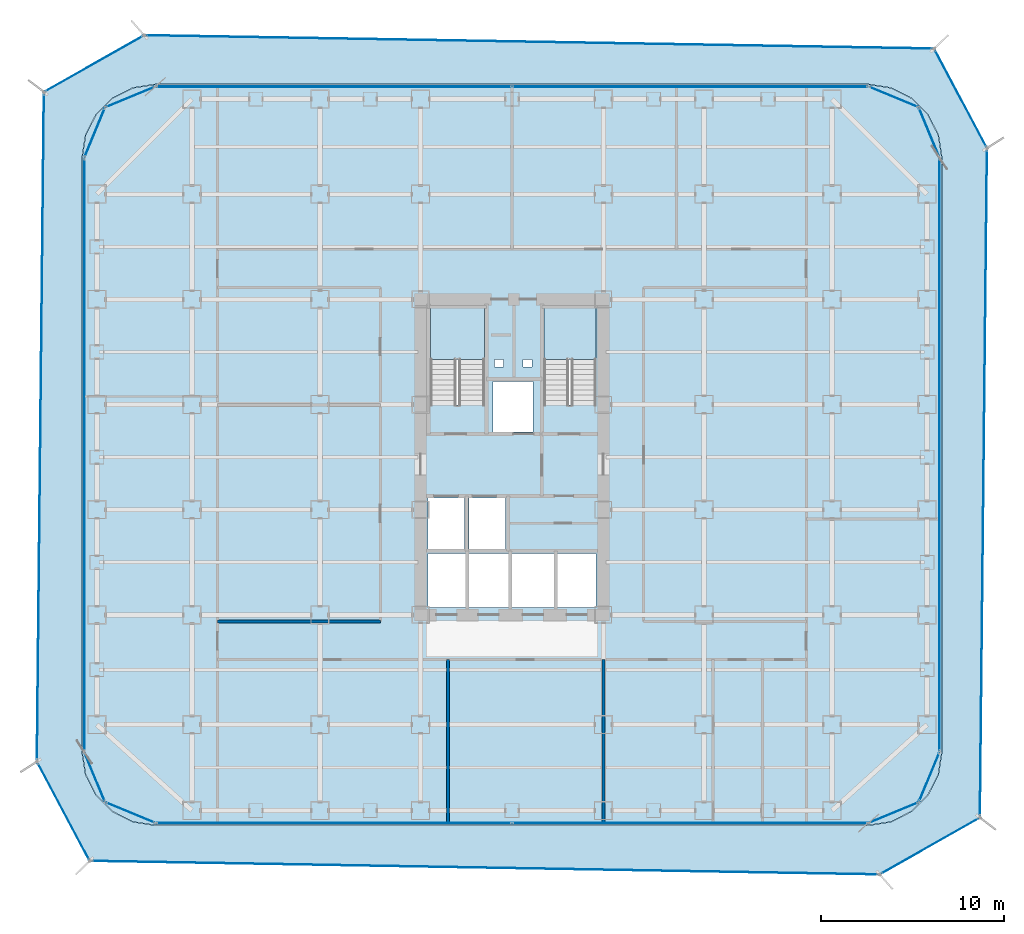
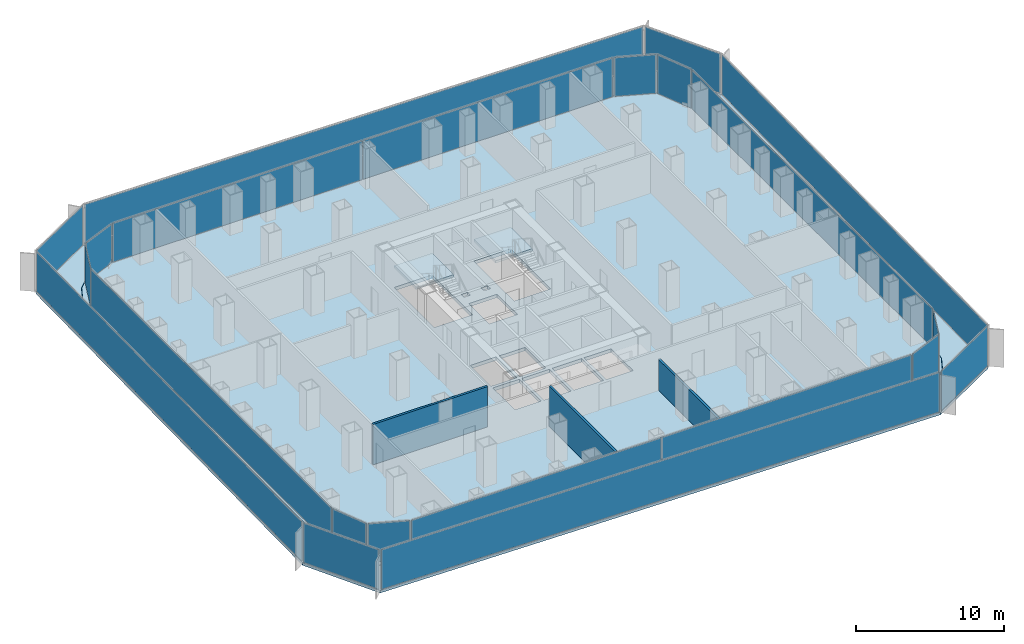
# One storey, part 16 of 21: 22 plates, 4 slabs, 3 walls, 22 elements without a shape of their own.
"""IFC4 building model written with IfcOpenShell, lengths in metres."""

from ifc_helpers import new_model, si_unit, direction, frame, frame_2d, origin, origin_2d, place, context, subcontext, project, spatial, polyline, rectangle, outline, extrude, source, transform, mapped, material, layer, layer_set, type_object, element, aggregate, save


model = new_model("IFC4")

# Units and contexts
model_context = context("Model", 3, precision=1e-05, world=origin(), true_north=direction((0.0, 1.0)))
body_context = subcontext(model_context, "Body", "Model", "MODEL_VIEW")
ifc_project = project(units=[si_unit("LENGTHUNIT", "METRE"), si_unit("AREAUNIT", "SQUARE_METRE"), si_unit("VOLUMEUNIT", "CUBIC_METRE"), si_unit("PLANEANGLEUNIT", "RADIAN"), si_unit("MASSUNIT", "GRAM", prefix="KILO")], contexts=[model_context])

# Site, building, storey
site_placement = place(None, origin())
site = spatial("IfcSite", under=ifc_project, at=site_placement, CompositionType="ELEMENT")
building_placement = place(site_placement, origin())
building = spatial("IfcBuilding", under=site, at=building_placement, Name="Kolveth Station Tower", CompositionType="ELEMENT")
storey_placement = place(building_placement, frame((0.0, 0.0, 40.5)))
storey = spatial("IfcBuildingStorey", under=building, at=storey_placement, Name="L10", CompositionType="ELEMENT", Elevation=40.5)

# Slab
ifc_material_1 = material(Name="Concrete C45/55", Category="concrete")
ifc_layer_1 = layer(ifc_material_1, 0.280029296875)
ifc_layer_set_1 = layer_set([ifc_layer_1], Name="Concrete C45/55")
slab_type_1 = type_object("IfcSlabType", Name="Slab_SF-280", PredefinedType="FLOOR", material=ifc_layer_set_1)
slab_1_placement = place(storey_placement, frame((0.0, 0.0, -0.280029296875)))
element("IfcSlab", 1, at=slab_1_placement, inside=storey, type_object=slab_type_1, Name="L10 Tower Structural Floor Slab", PredefinedType="FLOOR", context=body_context, shape_type="SweptSolid", body=[
    extrude(outline(polyline([(43.0, 0.0), (44.236083984375, 0.19580078125), (45.35107421875, 0.763916015625), (46.236083984375, 1.64892578125), (46.80419921875, 2.763916015625), (47.0, 4.0), (47.0, 36.5), (46.80419921875, 37.736083984375), (46.236083984375, 38.85107421875), (45.35107421875, 39.736083984375), (44.236083984375, 40.30419921875), (43.0, 40.5), (4.0, 40.5), (2.763916015625, 40.30419921875), (1.64892578125, 39.736083984375), (0.763916015625, 38.85107421875), (0.19580078125, 37.736083984375), (0.0, 36.5), (0.0, 4.0), (0.19580078125, 2.763916015625), (0.763916015625, 1.64892578125), (1.64892578125, 0.763916015625), (2.763916015625, 0.19580078125), (4.0, 0.0), (43.0, 0.0)]), holes=[polyline([(19.0400390625, 22.985107421875), (22.0, 22.985107421875), (22.0, 28.39990234375), (19.0400390625, 28.39990234375), (19.0400390625, 22.985107421875)]), polyline([(25.239990234375, 22.985107421875), (28.10009765625, 22.985107421875), (28.10009765625, 28.39990234375), (25.239990234375, 28.39990234375), (25.239990234375, 22.985107421875)]), polyline([(18.89990234375, 15.10009765625), (20.89990234375, 15.10009765625), (20.89990234375, 17.89990234375), (18.89990234375, 17.89990234375), (18.89990234375, 15.10009765625)]), polyline([(21.14990234375, 15.10009765625), (23.14990234375, 15.10009765625), (23.14990234375, 17.89990234375), (21.14990234375, 17.89990234375), (21.14990234375, 15.10009765625)]), polyline([(22.449951171875, 21.5), (24.64990234375, 21.5), (24.64990234375, 24.25), (22.449951171875, 24.25), (22.449951171875, 21.5)]), polyline([(18.89990234375, 11.89990234375), (20.949951171875, 11.89990234375), (20.949951171875, 14.85009765625), (18.89990234375, 14.85009765625), (18.89990234375, 11.89990234375)]), polyline([(21.14990234375, 11.89990234375), (23.300048828125, 11.89990234375), (23.300048828125, 14.85009765625), (21.14990234375, 14.85009765625), (21.14990234375, 11.89990234375)]), polyline([(23.5, 11.89990234375), (25.800048828125, 11.89990234375), (25.800048828125, 14.85009765625), (23.5, 14.85009765625), (23.5, 11.89990234375)]), polyline([(26.0, 11.89990234375), (28.10009765625, 11.89990234375), (28.10009765625, 14.85009765625), (26.0, 14.85009765625), (26.0, 11.89990234375)]), polyline([(22.550048828125, 25.050048828125), (23.050048828125, 25.050048828125), (23.050048828125, 25.449951171875), (22.550048828125, 25.449951171875), (22.550048828125, 25.050048828125)]), polyline([(24.10009765625, 25.050048828125), (24.60009765625, 25.050048828125), (24.60009765625, 25.449951171875), (24.10009765625, 25.449951171875), (24.10009765625, 25.050048828125)])]), origin(), (0.0, 0.0, 1.0), 0.280029296875),
])

# Stair, slab
ifc_material_2 = material(Name="Concrete C40/50", Category="concrete")
stair_type_1 = type_object("IfcStairType", Name="Stair_ST2", PredefinedType="HALF_TURN_STAIR", material=ifc_material_2)
stair_1_placement = place(storey_placement, origin())
stair_1 = element("IfcStair", 2, at=stair_1_placement, inside=storey, type_object=stair_type_1, Name="L10 Tower Exit Stair ST2", PredefinedType="HALF_TURN_STAIR")
ifc_layer_2 = layer(ifc_material_2, 0.18994140625)
ifc_layer_set_2 = layer_set([ifc_layer_2], Name="Concrete C40/50")
slab_type_2 = type_object("IfcSlabType", Name="Slab_SL-190", PredefinedType="LANDING", material=ifc_layer_set_2)
slab_2_placement = place(storey_placement, frame((0.0, 0.0, 1.60009765625)))
slab_2 = element("IfcSlab", 3, at=slab_2_placement, type_object=slab_type_2, Name="ST2 landing 1", PredefinedType="LANDING", context=body_context, shape_type="SweptSolid", body=[
    extrude(outline(polyline([(28.10009765625, 25.469970703125), (28.10009765625, 28.39990234375), (25.239990234375, 28.39990234375), (25.239990234375, 25.469970703125), (28.10009765625, 25.469970703125)])), origin(), (0.0, 0.0, 1.0), 0.199951171875),
])
aggregate(stair_1, [slab_2])

stair_type_2 = type_object("IfcStairType", Name="Stair_ST1", PredefinedType="HALF_TURN_STAIR", material=ifc_material_2)
stair_2_placement = place(storey_placement, origin())
stair_2 = element("IfcStair", 4, at=stair_2_placement, inside=storey, type_object=stair_type_2, Name="L10 Tower Exit Stair ST1", PredefinedType="HALF_TURN_STAIR")
ifc_layer_3 = layer(ifc_material_2, 0.205078125)
ifc_layer_set_3 = layer_set([ifc_layer_3], Name="Concrete C40/50")
slab_type_3 = type_object("IfcSlabType", Name="Slab_SL-205", PredefinedType="LANDING", material=ifc_layer_set_3)
slab_3_placement = place(storey_placement, frame((0.0, 0.0, 1.60009765625)))
slab_3 = element("IfcSlab", 5, at=slab_3_placement, type_object=slab_type_3, Name="ST1 landing 1", PredefinedType="LANDING", context=body_context, shape_type="SweptSolid", body=[
    extrude(outline(polyline([(22.0, 25.469970703125), (22.0, 28.39990234375), (19.0400390625, 28.39990234375), (19.0400390625, 25.469970703125), (22.0, 25.469970703125)])), origin(), (0.0, 0.0, 1.0), 0.199951171875),
])
aggregate(stair_2, [slab_3])

# Slab
ifc_layer_4 = layer(ifc_material_2, 0.2099609375)
ifc_layer_set_4 = layer_set([ifc_layer_4], Name="Concrete C40/50")
slab_type_4 = type_object("IfcSlabType", Name="Slab_ST-210", PredefinedType="FLOOR", material=ifc_layer_set_4)
slab_4_placement = place(storey_placement, frame((0.0, 0.0, -0.2099609375)))
element("IfcSlab", 6, at=slab_4_placement, inside=storey, type_object=slab_type_4, Name="L10 Double-Skin Cavity Structural Ledger Ring", PredefinedType="FLOOR", context=body_context, shape_type="SweptSolid", body=[
    extrude(outline(polyline([(0.418701171875, -1.953369140625), (-2.470947265625, 3.48046875), (-2.0888671875, 40.085693359375), (3.39404296875, 43.187744140625), (46.5849609375, 42.45947265625), (49.474853515625, 37.02001953125), (49.0888671875, 0.414306640625), (43.606689453125, -2.69482421875), (0.418701171875, -1.953369140625)]), holes=[polyline([(43.002197265625, -0.014892578125), (44.23828125, 0.180908203125), (44.242919921875, 0.182373046875), (45.35791015625, 0.75048828125), (45.36181640625, 0.75341796875), (46.24658203125, 1.63818359375), (46.24951171875, 1.64208984375), (46.817626953125, 2.757080078125), (46.819091796875, 2.76171875), (47.014892578125, 3.997802734375), (47.014892578125, 4.0), (47.014892578125, 36.5), (47.014892578125, 36.502197265625), (46.819091796875, 37.73828125), (46.817626953125, 37.742919921875), (46.24951171875, 38.85791015625), (46.24658203125, 38.86181640625), (45.36181640625, 39.74658203125), (45.35791015625, 39.74951171875), (44.242919921875, 40.317626953125), (44.23828125, 40.319091796875), (43.002197265625, 40.514892578125), (43.0, 40.514892578125), (4.0, 40.514892578125), (3.997802734375, 40.514892578125), (2.76171875, 40.319091796875), (2.757080078125, 40.317626953125), (1.64208984375, 39.74951171875), (1.63818359375, 39.74658203125), (0.75341796875, 38.86181640625), (0.75048828125, 38.85791015625), (0.182373046875, 37.742919921875), (0.180908203125, 37.73828125), (-0.014892578125, 36.502197265625), (-0.014892578125, 36.5), (-0.014892578125, 4.0), (-0.014892578125, 3.997802734375), (0.180908203125, 2.76171875), (0.182373046875, 2.757080078125), (0.75048828125, 1.64208984375), (0.75341796875, 1.63818359375), (1.63818359375, 0.75341796875), (1.64208984375, 0.75048828125), (2.757080078125, 0.182373046875), (2.76171875, 0.180908203125), (3.997802734375, -0.014892578125), (4.0, -0.014892578125), (43.0, -0.014892578125), (43.002197265625, -0.014892578125)])]), origin(), (0.0, 0.0, 1.0), 0.2099609375),
])

# Curtain wall, plate
ifc_material_3 = material(Name="Aluminium 6063-T6 and low-E dark glass", Category="aluminium")
ifc_layer_5 = layer(ifc_material_3, 0.179931640625)
ifc_layer_set_5 = layer_set([ifc_layer_5], Name="Aluminium 6063-T6 and low-E dark glass")
curtain_wall_type_1 = type_object("IfcCurtainWallType", Name="CurtainWall_CW-Z1", PredefinedType="NOTDEFINED", material=ifc_layer_set_5)
curtain_wall_1_placement = place(storey_placement, origin())
curtain_wall_1 = element("IfcCurtainWall", 7, at=curtain_wall_1_placement, inside=storey, type_object=curtain_wall_type_1, Name="L10 Inner Thermal Curtain Wall 1", PredefinedType="NOTDEFINED")
ifc_material_4 = material(Name="Architectural low-E dark glass", Category="glass")
ifc_layer_6 = layer(ifc_material_4, 0.035888671875)
ifc_layer_set_6 = layer_set([ifc_layer_6], Name="Architectural low-E dark glass")
plate_type_1 = type_object("IfcPlateType", Name="Panel_GL1", PredefinedType="CURTAIN_PANEL", material=ifc_layer_set_6)
shared_shape_1 = source(origin(), body_context, "Body", "SweptSolid", [
    extrude(rectangle(XDim=2.83349609375, YDim=0.035888671875, at=origin_2d()), origin(), (0.0, 0.0, 1.0), 3.18408203125),
])
plate_1_placement = place(storey_placement, frame((44.371826171875, 0.688232421875, 0.06787109375), z_axis=(0.0, 0.0, 1.0), x_axis=(0.923883857728, 0.382672990201, 0.0)))
plate_1 = element("IfcPlate", 8, at=plate_1_placement, type_object=plate_type_1, Name="CW-Z1 panel 1.1", PredefinedType="CURTAIN_PANEL", context=body_context, shape_type="MappedRepresentation", body=[
    mapped(shared_shape_1, transform((0.0, 0.0, 0.0), x_axis=(1.0, 0.0, 0.0), y_axis=(0.0, 1.0, 0.0), z_axis=(0.0, 0.0, 1.0), scale=1.0)),
])
aggregate(curtain_wall_1, [plate_1])

curtain_wall_2_placement = place(storey_placement, origin())
curtain_wall_2 = element("IfcCurtainWall", 9, at=curtain_wall_2_placement, inside=storey, type_object=curtain_wall_type_1, Name="L10 Inner Thermal Curtain Wall 2", PredefinedType="NOTDEFINED")
plate_2_placement = place(storey_placement, frame((46.311767578125, 2.628173828125, 0.06787109375), z_axis=(0.0, 0.0, 1.0), x_axis=(0.382672990201, 0.923883857728, 0.0)))
plate_2 = element("IfcPlate", 10, at=plate_2_placement, type_object=plate_type_1, Name="CW-Z1 panel 1.1", PredefinedType="CURTAIN_PANEL", context=body_context, shape_type="MappedRepresentation", body=[
    mapped(shared_shape_1, transform((0.0, 0.0, 0.0), x_axis=(1.0, 0.0, 0.0), y_axis=(0.0, 1.0, 0.0), z_axis=(0.0, 0.0, 1.0), scale=1.0)),
])
aggregate(curtain_wall_2, [plate_2])

curtain_wall_3_placement = place(storey_placement, origin())
curtain_wall_3 = element("IfcCurtainWall", 11, at=curtain_wall_3_placement, inside=storey, type_object=curtain_wall_type_1, Name="L10 Inner Thermal Curtain Wall 4", PredefinedType="NOTDEFINED")
plate_3_placement = place(storey_placement, frame((46.311767578125, 37.871826171875, 0.06787109375), z_axis=(0.0, 0.0, 1.0), x_axis=(-0.382672990201, 0.923883857728, 0.0)))
plate_3 = element("IfcPlate", 12, at=plate_3_placement, type_object=plate_type_1, Name="CW-Z1 panel 1.1", PredefinedType="CURTAIN_PANEL", context=body_context, shape_type="MappedRepresentation", body=[
    mapped(shared_shape_1, transform((0.0, 0.0, 0.0), x_axis=(1.0, 0.0, 0.0), y_axis=(0.0, 1.0, 0.0), z_axis=(0.0, 0.0, 1.0), scale=1.0)),
])
aggregate(curtain_wall_3, [plate_3])

curtain_wall_4_placement = place(storey_placement, origin())
curtain_wall_4 = element("IfcCurtainWall", 13, at=curtain_wall_4_placement, inside=storey, type_object=curtain_wall_type_1, Name="L10 Inner Thermal Curtain Wall 5", PredefinedType="NOTDEFINED")
plate_4_placement = place(storey_placement, frame((44.371826171875, 39.811767578125, 0.06787109375), z_axis=(0.0, 0.0, 1.0), x_axis=(-0.923883857728, 0.382672990201, 0.0)))
plate_4 = element("IfcPlate", 14, at=plate_4_placement, type_object=plate_type_1, Name="CW-Z1 panel 1.1", PredefinedType="CURTAIN_PANEL", context=body_context, shape_type="MappedRepresentation", body=[
    mapped(shared_shape_1, transform((0.0, 0.0, 0.0), x_axis=(1.0, 0.0, 0.0), y_axis=(0.0, 1.0, 0.0), z_axis=(0.0, 0.0, 1.0), scale=1.0)),
])
aggregate(curtain_wall_4, [plate_4])

curtain_wall_5_placement = place(storey_placement, origin())
curtain_wall_5 = element("IfcCurtainWall", 15, at=curtain_wall_5_placement, inside=storey, type_object=curtain_wall_type_1, Name="L10 Inner Thermal Curtain Wall 7", PredefinedType="NOTDEFINED")
plate_5_placement = place(storey_placement, frame((2.628173828125, 39.811767578125, 0.06787109375), z_axis=(0.0, 0.0, 1.0), x_axis=(-0.923883857728, -0.382672990201, 0.0)))
plate_5 = element("IfcPlate", 16, at=plate_5_placement, type_object=plate_type_1, Name="CW-Z1 panel 1.1", PredefinedType="CURTAIN_PANEL", context=body_context, shape_type="MappedRepresentation", body=[
    mapped(shared_shape_1, transform((0.0, 0.0, 0.0), x_axis=(1.0, 0.0, 0.0), y_axis=(0.0, 1.0, 0.0), z_axis=(0.0, 0.0, 1.0), scale=1.0)),
])
aggregate(curtain_wall_5, [plate_5])

curtain_wall_6_placement = place(storey_placement, origin())
curtain_wall_6 = element("IfcCurtainWall", 17, at=curtain_wall_6_placement, inside=storey, type_object=curtain_wall_type_1, Name="L10 Inner Thermal Curtain Wall 8", PredefinedType="NOTDEFINED")
plate_6_placement = place(storey_placement, frame((0.688232421875, 37.871826171875, 0.06787109375), z_axis=(0.0, 0.0, 1.0), x_axis=(-0.382672990201, -0.923883857728, 0.0)))
plate_6 = element("IfcPlate", 18, at=plate_6_placement, type_object=plate_type_1, Name="CW-Z1 panel 1.1", PredefinedType="CURTAIN_PANEL", context=body_context, shape_type="MappedRepresentation", body=[
    mapped(shared_shape_1, transform((0.0, 0.0, 0.0), x_axis=(1.0, 0.0, 0.0), y_axis=(0.0, 1.0, 0.0), z_axis=(0.0, 0.0, 1.0), scale=1.0)),
])
aggregate(curtain_wall_6, [plate_6])

curtain_wall_7_placement = place(storey_placement, origin())
curtain_wall_7 = element("IfcCurtainWall", 19, at=curtain_wall_7_placement, inside=storey, type_object=curtain_wall_type_1, Name="L10 Inner Thermal Curtain Wall 10", PredefinedType="NOTDEFINED")
plate_7_placement = place(storey_placement, frame((0.688232421875, 2.628173828125, 0.06787109375), z_axis=(0.0, 0.0, 1.0), x_axis=(0.382672990201, -0.923883857728, 0.0)))
plate_7 = element("IfcPlate", 20, at=plate_7_placement, type_object=plate_type_1, Name="CW-Z1 panel 1.1", PredefinedType="CURTAIN_PANEL", context=body_context, shape_type="MappedRepresentation", body=[
    mapped(shared_shape_1, transform((0.0, 0.0, 0.0), x_axis=(1.0, 0.0, 0.0), y_axis=(0.0, 1.0, 0.0), z_axis=(0.0, 0.0, 1.0), scale=1.0)),
])
aggregate(curtain_wall_7, [plate_7])

curtain_wall_8_placement = place(storey_placement, origin())
curtain_wall_8 = element("IfcCurtainWall", 21, at=curtain_wall_8_placement, inside=storey, type_object=curtain_wall_type_1, Name="L10 Inner Thermal Curtain Wall 11", PredefinedType="NOTDEFINED")
plate_8_placement = place(storey_placement, frame((2.628173828125, 0.688232421875, 0.06787109375), z_axis=(0.0, 0.0, 1.0), x_axis=(0.923883857728, -0.382672990201, 0.0)))
plate_8 = element("IfcPlate", 22, at=plate_8_placement, type_object=plate_type_1, Name="CW-Z1 panel 1.1", PredefinedType="CURTAIN_PANEL", context=body_context, shape_type="MappedRepresentation", body=[
    mapped(shared_shape_1, transform((0.0, 0.0, 0.0), x_axis=(1.0, 0.0, 0.0), y_axis=(0.0, 1.0, 0.0), z_axis=(0.0, 0.0, 1.0), scale=1.0)),
])
aggregate(curtain_wall_8, [plate_8])

curtain_wall_9_placement = place(storey_placement, origin())
curtain_wall_9 = element("IfcCurtainWall", 23, at=curtain_wall_9_placement, inside=storey, type_object=curtain_wall_type_1, Name="L10 Inner Thermal Curtain Wall 3", PredefinedType="NOTDEFINED")
shared_shape_2 = source(origin(), body_context, "Body", "SweptSolid", [
    extrude(rectangle(XDim=32.364013671875, YDim=0.035888671875, at=origin_2d()), origin(), (0.0, 0.0, 1.0), 3.18408203125),
])
plate_9_placement = place(storey_placement, frame((46.8798828125, 20.25, 0.06787109375), z_axis=(0.0, 0.0, 1.0), x_axis=(0.0, 1.0, 0.0)))
plate_9 = element("IfcPlate", 24, at=plate_9_placement, type_object=plate_type_1, Name="CW-Z1 panel 1.1", PredefinedType="CURTAIN_PANEL", context=body_context, shape_type="MappedRepresentation", body=[
    mapped(shared_shape_2, transform((0.0, 0.0, 0.0), x_axis=(1.0, 0.0, 0.0), y_axis=(0.0, 1.0, 0.0), z_axis=(0.0, 0.0, 1.0), scale=1.0)),
])
aggregate(curtain_wall_9, [plate_9])

curtain_wall_10_placement = place(storey_placement, origin())
curtain_wall_10 = element("IfcCurtainWall", 25, at=curtain_wall_10_placement, inside=storey, type_object=curtain_wall_type_1, Name="L10 Inner Thermal Curtain Wall 9", PredefinedType="NOTDEFINED")
plate_10_placement = place(storey_placement, frame((0.1201171875, 20.25, 0.06787109375), z_axis=(0.0, 0.0, 1.0), x_axis=(0.0, -1.0, 0.0)))
plate_10 = element("IfcPlate", 26, at=plate_10_placement, type_object=plate_type_1, Name="CW-Z1 panel 1.1", PredefinedType="CURTAIN_PANEL", context=body_context, shape_type="MappedRepresentation", body=[
    mapped(shared_shape_2, transform((0.0, 0.0, 0.0), x_axis=(1.0, 0.0, 0.0), y_axis=(0.0, 1.0, 0.0), z_axis=(0.0, 0.0, 1.0), scale=1.0)),
])
aggregate(curtain_wall_10, [plate_10])

# Curtain wall, plates
curtain_wall_11_placement = place(storey_placement, origin())
curtain_wall_11 = element("IfcCurtainWall", 27, at=curtain_wall_11_placement, inside=storey, type_object=curtain_wall_type_1, Name="L10 Inner Thermal Curtain Wall 6", PredefinedType="NOTDEFINED")
shared_shape_3 = source(origin(), body_context, "Body", "SweptSolid", [
    extrude(rectangle(XDim=19.401611328125, YDim=0.035888671875, at=origin_2d()), origin(), (0.0, 0.0, 1.0), 3.18408203125),
])
plate_11_placement = place(storey_placement, frame((33.231201171875, 40.3798828125, 0.06787109375), z_axis=(0.0, 0.0, 1.0), x_axis=(-1.0, 0.0, 0.0)))
plate_11 = element("IfcPlate", 28, at=plate_11_placement, type_object=plate_type_1, Name="CW-Z1 panel 1.1", PredefinedType="CURTAIN_PANEL", context=body_context, shape_type="MappedRepresentation", body=[
    mapped(shared_shape_3, transform((0.0, 0.0, 0.0), x_axis=(1.0, 0.0, 0.0), y_axis=(0.0, 1.0, 0.0), z_axis=(0.0, 0.0, 1.0), scale=1.0)),
])
plate_12_placement = place(storey_placement, frame((13.768798828125, 40.3798828125, 0.06787109375), z_axis=(0.0, 0.0, 1.0), x_axis=(-1.0, 0.0, 0.0)))
plate_12 = element("IfcPlate", 29, at=plate_12_placement, type_object=plate_type_1, Name="CW-Z1 panel 2.1", PredefinedType="CURTAIN_PANEL", context=body_context, shape_type="MappedRepresentation", body=[
    mapped(shared_shape_3, transform((0.0, 0.0, 0.0), x_axis=(1.0, 0.0, 0.0), y_axis=(0.0, 1.0, 0.0), z_axis=(0.0, 0.0, 1.0), scale=1.0)),
])
aggregate(curtain_wall_11, [plate_11, plate_12])

curtain_wall_12_placement = place(storey_placement, origin())
curtain_wall_12 = element("IfcCurtainWall", 30, at=curtain_wall_12_placement, inside=storey, type_object=curtain_wall_type_1, Name="L10 Inner Thermal Curtain Wall 12", PredefinedType="NOTDEFINED")
plate_13_placement = place(storey_placement, frame((13.768798828125, 0.1201171875, 0.06787109375), z_axis=(0.0, 0.0, 1.0), x_axis=(1.0, 0.0, 0.0)))
plate_13 = element("IfcPlate", 31, at=plate_13_placement, type_object=plate_type_1, Name="CW-Z1 panel 1.1", PredefinedType="CURTAIN_PANEL", context=body_context, shape_type="MappedRepresentation", body=[
    mapped(shared_shape_3, transform((0.0, 0.0, 0.0), x_axis=(1.0, 0.0, 0.0), y_axis=(0.0, 1.0, 0.0), z_axis=(0.0, 0.0, 1.0), scale=1.0)),
])
plate_14_placement = place(storey_placement, frame((33.231201171875, 0.1201171875, 0.06787109375), z_axis=(0.0, 0.0, 1.0), x_axis=(1.0, 0.0, 0.0)))
plate_14 = element("IfcPlate", 32, at=plate_14_placement, type_object=plate_type_1, Name="CW-Z1 panel 2.1", PredefinedType="CURTAIN_PANEL", context=body_context, shape_type="MappedRepresentation", body=[
    mapped(shared_shape_3, transform((0.0, 0.0, 0.0), x_axis=(1.0, 0.0, 0.0), y_axis=(0.0, 1.0, 0.0), z_axis=(0.0, 0.0, 1.0), scale=1.0)),
])
aggregate(curtain_wall_12, [plate_13, plate_14])

# Curtain wall, plate
ifc_material_5 = material(Name="Black anodized aluminium 6063-T6 and dark solar glass", Category="aluminium")
ifc_layer_7 = layer(ifc_material_5, 0.159912109375)
ifc_layer_set_7 = layer_set([ifc_layer_7], Name="Black anodized aluminium 6063-T6 and dark solar glass")
curtain_wall_type_2 = type_object("IfcCurtainWallType", Name="OUTER SKIN CW-OS", PredefinedType="NOTDEFINED", material=ifc_layer_set_7)
curtain_wall_13_placement = place(storey_placement, origin())
curtain_wall_13 = element("IfcCurtainWall", 33, at=curtain_wall_13_placement, inside=storey, type_object=curtain_wall_type_2, Name="L10 Outer Ventilated Skin Curtain Wall 1", PredefinedType="NOTDEFINED")
ifc_layer_8 = layer(ifc_material_4, 0.028076171875)
ifc_layer_set_8 = layer_set([ifc_layer_8], Name="Architectural low-E dark glass")
plate_type_2 = type_object("IfcPlateType", Name="Panel_GL-OS", PredefinedType="CURTAIN_PANEL", material=ifc_layer_set_8)
shared_shape_4 = source(origin(), body_context, "Body", "SweptSolid", [
    extrude(rectangle(XDim=6.13623046875, YDim=0.028076171875, at=origin_2d()), origin(), (0.0, 0.0, 1.0), 3.243896484375),
])
plate_15_placement = place(storey_placement, frame((46.347900390625, -1.140380859375, 0.0732421875), z_axis=(0.0, 0.0, 1.0), x_axis=(0.869836095484, 0.493340822347, 0.0)))
plate_15 = element("IfcPlate", 34, at=plate_15_placement, type_object=plate_type_2, Name="CW-OS panel 1.1", PredefinedType="CURTAIN_PANEL", context=body_context, shape_type="MappedRepresentation", body=[
    mapped(shared_shape_4, transform((0.0, 0.0, 0.0), x_axis=(1.0, 0.0, 0.0), y_axis=(0.0, 1.0, 0.0), z_axis=(0.0, 0.0, 1.0), scale=1.0)),
])
aggregate(curtain_wall_13, [plate_15])

curtain_wall_14_placement = place(storey_placement, origin())
curtain_wall_14 = element("IfcCurtainWall", 35, at=curtain_wall_14_placement, inside=storey, type_object=curtain_wall_type_2, Name="L10 Outer Ventilated Skin Curtain Wall 2", PredefinedType="NOTDEFINED")
shared_shape_5 = source(origin(), body_context, "Body", "SweptSolid", [
    extrude(rectangle(XDim=36.44189453125, YDim=0.028076171875, at=origin_2d()), origin(), (0.0, 0.0, 1.0), 3.243896484375),
])
plate_16_placement = place(storey_placement, frame((49.28173828125, 18.71728515625, 0.0732421875), z_axis=(0.0, 0.0, 1.0), x_axis=(0.010546922203, 0.999944379669, 0.0)))
plate_16 = element("IfcPlate", 36, at=plate_16_placement, type_object=plate_type_2, Name="CW-OS panel 1.1", PredefinedType="CURTAIN_PANEL", context=body_context, shape_type="MappedRepresentation", body=[
    mapped(shared_shape_5, transform((0.0, 0.0, 0.0), x_axis=(1.0, 0.0, 0.0), y_axis=(0.0, 1.0, 0.0), z_axis=(0.0, 0.0, 1.0), scale=1.0)),
])
aggregate(curtain_wall_14, [plate_16])

curtain_wall_15_placement = place(storey_placement, origin())
curtain_wall_15 = element("IfcCurtainWall", 37, at=curtain_wall_15_placement, inside=storey, type_object=curtain_wall_type_2, Name="L10 Outer Ventilated Skin Curtain Wall 3", PredefinedType="NOTDEFINED")
shared_shape_6 = source(origin(), body_context, "Body", "SweptSolid", [
    extrude(rectangle(XDim=5.993408203125, YDim=0.028076171875, at=origin_2d()), origin(), (0.0, 0.0, 1.0), 3.243896484375),
])
plate_17_placement = place(storey_placement, frame((48.02978515625, 39.73974609375, 0.0732421875), z_axis=(0.0, 0.0, 1.0), x_axis=(-0.469195584575, 0.883094277761, 0.0)))
plate_17 = element("IfcPlate", 38, at=plate_17_placement, type_object=plate_type_2, Name="CW-OS panel 1.1", PredefinedType="CURTAIN_PANEL", context=body_context, shape_type="MappedRepresentation", body=[
    mapped(shared_shape_6, transform((0.0, 0.0, 0.0), x_axis=(1.0, 0.0, 0.0), y_axis=(0.0, 1.0, 0.0), z_axis=(0.0, 0.0, 1.0), scale=1.0)),
])
aggregate(curtain_wall_15, [plate_17])

curtain_wall_16_placement = place(storey_placement, origin())
curtain_wall_16 = element("IfcCurtainWall", 39, at=curtain_wall_16_placement, inside=storey, type_object=curtain_wall_type_2, Name="L10 Outer Ventilated Skin Curtain Wall 4", PredefinedType="NOTDEFINED")
shared_shape_7 = source(origin(), body_context, "Body", "SweptSolid", [
    extrude(rectangle(XDim=43.031005859375, YDim=0.028076171875, at=origin_2d()), origin(), (0.0, 0.0, 1.0), 3.243896484375),
])
plate_18_placement = place(storey_placement, frame((24.989501953125, 42.82373046875, 0.0732421875), z_axis=(0.0, 0.0, 1.0), x_axis=(-0.999857860257, 0.016859990549, 0.0)))
plate_18 = element("IfcPlate", 40, at=plate_18_placement, type_object=plate_type_2, Name="CW-OS panel 1.1", PredefinedType="CURTAIN_PANEL", context=body_context, shape_type="MappedRepresentation", body=[
    mapped(shared_shape_7, transform((0.0, 0.0, 0.0), x_axis=(1.0, 0.0, 0.0), y_axis=(0.0, 1.0, 0.0), z_axis=(0.0, 0.0, 1.0), scale=1.0)),
])
aggregate(curtain_wall_16, [plate_18])

curtain_wall_17_placement = place(storey_placement, origin())
curtain_wall_17 = element("IfcCurtainWall", 41, at=curtain_wall_17_placement, inside=storey, type_object=curtain_wall_type_2, Name="L10 Outer Ventilated Skin Curtain Wall 5", PredefinedType="NOTDEFINED")
shared_shape_8 = source(origin(), body_context, "Body", "SweptSolid", [
    extrude(rectangle(XDim=6.133544921875, YDim=0.028076171875, at=origin_2d()), origin(), (0.0, 0.0, 1.0), 3.243896484375),
])
plate_19_placement = place(storey_placement, frame((0.652587890625, 41.63671875, 0.0732421875), z_axis=(0.0, 0.0, 1.0), x_axis=(-0.870354033578, -0.492426498307, 0.0)))
plate_19 = element("IfcPlate", 42, at=plate_19_placement, type_object=plate_type_2, Name="CW-OS panel 1.1", PredefinedType="CURTAIN_PANEL", context=body_context, shape_type="MappedRepresentation", body=[
    mapped(shared_shape_8, transform((0.0, 0.0, 0.0), x_axis=(1.0, 0.0, 0.0), y_axis=(0.0, 1.0, 0.0), z_axis=(0.0, 0.0, 1.0), scale=1.0)),
])
aggregate(curtain_wall_17, [plate_19])

curtain_wall_18_placement = place(storey_placement, origin())
curtain_wall_18 = element("IfcCurtainWall", 43, at=curtain_wall_18_placement, inside=storey, type_object=curtain_wall_type_2, Name="L10 Outer Ventilated Skin Curtain Wall 6", PredefinedType="NOTDEFINED")
shared_shape_9 = source(origin(), body_context, "Body", "SweptSolid", [
    extrude(rectangle(XDim=36.44140625, YDim=0.028076171875, at=origin_2d()), origin(), (0.0, 0.0, 1.0), 3.243896484375),
])
plate_20_placement = place(storey_placement, frame((-2.27978515625, 21.782958984375, 0.0732421875), z_axis=(0.0, 0.0, 1.0), x_axis=(-0.010437810504, -0.999945524572, 0.0)))
plate_20 = element("IfcPlate", 44, at=plate_20_placement, type_object=plate_type_2, Name="CW-OS panel 1.1", PredefinedType="CURTAIN_PANEL", context=body_context, shape_type="MappedRepresentation", body=[
    mapped(shared_shape_9, transform((0.0, 0.0, 0.0), x_axis=(1.0, 0.0, 0.0), y_axis=(0.0, 1.0, 0.0), z_axis=(0.0, 0.0, 1.0), scale=1.0)),
])
aggregate(curtain_wall_18, [plate_20])

curtain_wall_19_placement = place(storey_placement, origin())
curtain_wall_19 = element("IfcCurtainWall", 45, at=curtain_wall_19_placement, inside=storey, type_object=curtain_wall_type_2, Name="L10 Outer Ventilated Skin Curtain Wall 7", PredefinedType="NOTDEFINED")
shared_shape_10 = source(origin(), body_context, "Body", "SweptSolid", [
    extrude(rectangle(XDim=5.98828125, YDim=0.028076171875, at=origin_2d()), origin(), (0.0, 0.0, 1.0), 3.243896484375),
])
plate_21_placement = place(storey_placement, frame((-1.026123046875, 0.763671875, 0.0732421875), z_axis=(0.0, 0.0, 1.0), x_axis=(0.469528624409, -0.882917250291, 0.0)))
plate_21 = element("IfcPlate", 46, at=plate_21_placement, type_object=plate_type_2, Name="CW-OS panel 1.1", PredefinedType="CURTAIN_PANEL", context=body_context, shape_type="MappedRepresentation", body=[
    mapped(shared_shape_10, transform((0.0, 0.0, 0.0), x_axis=(1.0, 0.0, 0.0), y_axis=(0.0, 1.0, 0.0), z_axis=(0.0, 0.0, 1.0), scale=1.0)),
])
aggregate(curtain_wall_19, [plate_21])

curtain_wall_20_placement = place(storey_placement, origin())
curtain_wall_20 = element("IfcCurtainWall", 47, at=curtain_wall_20_placement, inside=storey, type_object=curtain_wall_type_2, Name="L10 Outer Ventilated Skin Curtain Wall 8", PredefinedType="NOTDEFINED")
shared_shape_11 = source(origin(), body_context, "Body", "SweptSolid", [
    extrude(rectangle(XDim=43.028564453125, YDim=0.028076171875, at=origin_2d()), origin(), (0.0, 0.0, 1.0), 3.243896484375),
])
plate_22_placement = place(storey_placement, frame((22.0126953125, -2.32421875, 0.0732421875), z_axis=(0.0, 0.0, 1.0), x_axis=(0.999852604162, -0.017168865757, 0.0)))
plate_22 = element("IfcPlate", 48, at=plate_22_placement, type_object=plate_type_2, Name="CW-OS panel 1.1", PredefinedType="CURTAIN_PANEL", context=body_context, shape_type="MappedRepresentation", body=[
    mapped(shared_shape_11, transform((0.0, 0.0, 0.0), x_axis=(1.0, 0.0, 0.0), y_axis=(0.0, 1.0, 0.0), z_axis=(0.0, 0.0, 1.0), scale=1.0)),
])
aggregate(curtain_wall_20, [plate_22])

# Walls
ifc_material_6 = material(Name="Acoustic double-stud gypsum partition")
ifc_layer_9 = layer(ifc_material_6, 0.1650390625)
ifc_layer_set_9 = layer_set([ifc_layer_9], Name="Acoustic double-stud gypsum partition")
wall_type = type_object("IfcWallType", Name="Wall_IW-165", PredefinedType="PARTITIONING", material=ifc_layer_set_9)
wall_1_placement = place(storey_placement, frame((7.39990234375, 11.14990234375, 0.0), z_axis=(0.0, 0.0, 1.0), x_axis=(1.0, 0.0, 0.0)))
element("IfcWall", 49, at=wall_1_placement, inside=storey, type_object=wall_type, Name="L10 Partition Wall WL-L10-OSWT", PredefinedType="PARTITIONING", context=body_context, shape_type="SweptSolid", body=[
    extrude(rectangle(XDim=8.900146484375, YDim=0.1650390625, at=frame_2d((4.4501953125, 0.0))), origin(), (0.0, 0.0, 1.0), 3.320068359375),
])
wall_2_placement = place(storey_placement, frame((20.0, 0.159912109375, 0.0), z_axis=(0.0, 0.0, 1.0), x_axis=(0.0, 1.0, 0.0)))
element("IfcWall", 50, at=wall_2_placement, inside=storey, type_object=wall_type, Name="L10 Partition Wall WL-L10-OS-P1", PredefinedType="PARTITIONING", context=body_context, shape_type="SweptSolid", body=[
    extrude(rectangle(XDim=8.89013671875, YDim=0.1650390625, at=frame_2d((4.445068359375, 0.0))), origin(), (0.0, 0.0, 1.0), 3.320068359375),
])
wall_3_placement = place(storey_placement, frame((28.5, 0.159912109375, 0.0), z_axis=(0.0, 0.0, 1.0), x_axis=(0.0, 1.0, 0.0)))
element("IfcWall", 51, at=wall_3_placement, inside=storey, type_object=wall_type, Name="L10 Partition Wall WL-L10-OS-P2", PredefinedType="PARTITIONING", context=body_context, shape_type="SweptSolid", body=[
    extrude(rectangle(XDim=8.89013671875, YDim=0.1650390625, at=frame_2d((4.445068359375, 0.0))), origin(), (0.0, 0.0, 1.0), 2.5390625),
])

save(model, "model.ifc")
